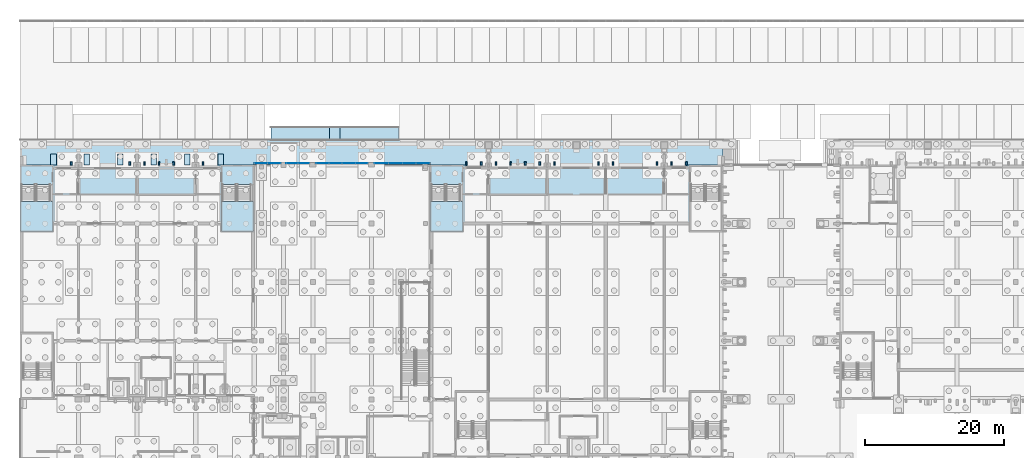
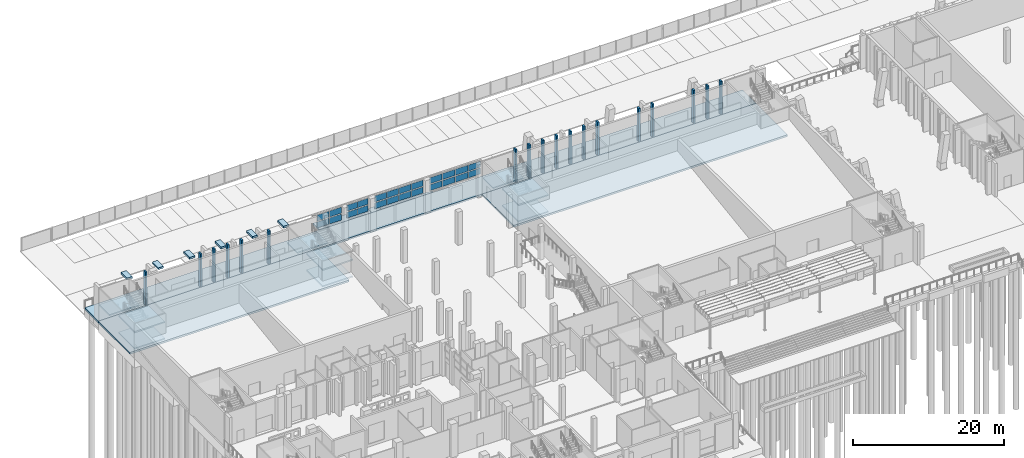
# One storey, part 38 of 129: 42 plates, 21 slabs, 7 elements without a shape of their own.
"""IFC4 building model written with IfcOpenShell, lengths in metres."""

from ifc_helpers import new_model, si_unit, direction, frame, origin, origin_2d, place, context, subcontext, project, spatial, polyline, rectangle, outline, extrude, material, layer, layer_set, type_object, element, aggregate, save


model = new_model("IFC4")

# Units and contexts
model_context = context("Model", 3, precision=1e-05, world=origin(), true_north=direction((0.0, 1.0)))
body_context = subcontext(model_context, "Body", "Model", "MODEL_VIEW")
ifc_project = project(units=[si_unit("LENGTHUNIT", "METRE"), si_unit("AREAUNIT", "SQUARE_METRE"), si_unit("VOLUMEUNIT", "CUBIC_METRE"), si_unit("PLANEANGLEUNIT", "RADIAN"), si_unit("MASSUNIT", "GRAM", prefix="KILO")], contexts=[model_context])

# Site, building, storey
site_placement = place(None, origin())
site = spatial("IfcSite", under=ifc_project, at=site_placement, CompositionType="ELEMENT")
building_placement = place(site_placement, origin())
building = spatial("IfcBuilding", under=site, at=building_placement, Name="Kiln Court Media Centre", CompositionType="ELEMENT")
storey_placement = place(building_placement, origin())
storey = spatial("IfcBuildingStorey", under=building, at=storey_placement, Name="L00", CompositionType="ELEMENT", Elevation=0.0)

# Slabs
ifc_material_1 = material(Name="Concrete C30/37", Category="concrete")
ifc_layer_1 = layer(ifc_material_1, 0.300048828125)
ifc_layer_set_1 = layer_set([ifc_layer_1], Name="Concrete C30/37 plinth slab 300")
slab_type_1 = type_object("IfcSlabType", Name="Concrete C30/37 plinth slab 300", PredefinedType="BASESLAB", material=ifc_layer_set_1)
slab_1_placement = place(storey_placement, frame((0.0, 0.0, -0.300048828125)))
element("IfcSlab", 1, at=slab_1_placement, inside=storey, type_object=slab_type_1, Name="L00-SL-1003", PredefinedType="BASESLAB", context=body_context, shape_type="SweptSolid", body=[
    extrude(outline(polyline([(0.0, 58.800048828125), (0.0, 67.199951171875), (33.60009765625, 67.199951171875), (33.60009765625, 58.800048828125), (0.0, 58.800048828125)])), origin(), (0.0, 0.0, 1.0), 0.300048828125),
])
slab_2_placement = place(storey_placement, frame((0.0, 0.0, -0.300048828125)))
element("IfcSlab", 2, at=slab_2_placement, inside=storey, type_object=slab_type_1, Name="L00-SL-1006", PredefinedType="BASESLAB", context=body_context, shape_type="SweptSolid", body=[
    extrude(outline(polyline([(58.800048828125, 58.800048828125), (58.800048828125, 67.199951171875), (100.800048828125, 67.199951171875), (100.800048828125, 58.800048828125), (58.800048828125, 58.800048828125)])), origin(), (0.0, 0.0, 1.0), 0.300048828125),
])
slab_3_placement = place(storey_placement, frame((0.0, 0.0, -0.300048828125)))
element("IfcSlab", 3, at=slab_3_placement, inside=storey, type_object=slab_type_1, Name="L00-SL-1014", PredefinedType="BASESLAB", context=body_context, shape_type="SweptSolid", body=[
    extrude(outline(polyline([(0.0, 67.199951171875), (0.0, 70.800048828125), (100.800048828125, 70.800048828125), (100.800048828125, 67.199951171875), (0.0, 67.199951171875)])), origin(), (0.0, 0.0, 1.0), 0.300048828125),
])
ifc_material_2 = material(Name="Concrete C30/37", Category="concrete")
ifc_layer_2 = layer(ifc_material_2, 0.199951171875)
ifc_layer_set_2 = layer_set([ifc_layer_2], Name="Concrete C30/37 ramp landing 1:14 200")
slab_type_2 = type_object("IfcSlabType", Name="Concrete C30/37 ramp landing 1:14 200", PredefinedType="LANDING", material=ifc_layer_set_2)
slab_4_placement = place(storey_placement, frame((0.0, 0.0, -0.800048828125)))
element("IfcSlab", 4, at=slab_4_placement, inside=storey, type_object=slab_type_2, Name="RREAR-LANDING landing", PredefinedType="LANDING", context=body_context, shape_type="SweptSolid", body=[
    extrude(outline(polyline([(44.39990234375, 70.800048828125), (45.89990234375, 70.800048828125), (45.89990234375, 72.60009765625), (44.39990234375, 72.60009765625), (44.39990234375, 70.800048828125)])), origin(), (0.0, 0.0, 1.0), 0.199951171875),
])
ifc_material_3 = material(Name="Concrete C30/37", Category="concrete")
ifc_layer_3 = layer(ifc_material_3, 0.199951171875)
ifc_layer_set_3 = layer_set([ifc_layer_3], Name="Concrete C30/37 ramp slab 1:14 200")
slab_type_3 = type_object("IfcSlabType", Name="Concrete C30/37 ramp slab 1:14 200", PredefinedType="BASESLAB", material=ifc_layer_set_3)
slab_5_placement = place(storey_placement, frame((36.0, 70.800048828125, 0.0), z_axis=(0.071259411546, 0.0, 0.997457816785), x_axis=(0.997457816785, 0.0, -0.071259411546)))
element("IfcSlab", 5, at=slab_5_placement, inside=storey, type_object=slab_type_3, Name="RREAR-1 ramp run", PredefinedType="BASESLAB", context=body_context, shape_type="SweptSolid", body=[
    extrude(outline(polyline([(0.0, 0.0), (8.421310858861196, 0.0), (8.421310858861196, 1.800048828125), (0.0, 1.800048828125), (0.0, 0.0)])), origin(), (0.0, 0.0, -1.0), 0.199951171875),
])
slab_6_placement = place(storey_placement, frame((45.89990234375, 70.800048828125, -0.60009765625), z_axis=(0.071228508128, 0.0, 0.997460024076), x_axis=(0.997460024076, 0.0, -0.071228508128)))
element("IfcSlab", 6, at=slab_6_placement, inside=storey, type_object=slab_type_3, Name="RREAR-2 ramp run", PredefinedType="BASESLAB", context=body_context, shape_type="SweptSolid", body=[
    extrude(outline(polyline([(0.0, 0.0), (8.421536985560614, 0.0), (8.421536985560614, 1.800048828125), (0.0, 1.800048828125), (0.0, 0.0)])), origin(), (0.0, 0.0, -1.0), 0.199951171875),
])
ifc_material_4 = material(Name="Concrete C30/37", Category="concrete")
ifc_layer_4 = layer(ifc_material_4, 0.300048828125)
ifc_layer_set_4 = layer_set([ifc_layer_4], Name="Concrete C30/37 rib seat slab 300")
slab_type_4 = type_object("IfcSlabType", Name="Concrete C30/37 rib seat slab 300", PredefinedType="FLOOR", material=ifc_layer_set_4)
slab_7_placement = place(storey_placement, frame((0.0, 0.0, 5.10009765625)))
element("IfcSlab", 7, at=slab_7_placement, inside=storey, type_object=slab_type_4, Name="V4 N rib seat slab 1", PredefinedType="FLOOR", context=body_context, shape_type="SweptSolid", body=[
    extrude(outline(polyline([(4.39990234375, 67.199951171875), (5.199951171875, 67.199951171875), (5.199951171875, 68.800048828125), (4.39990234375, 68.800048828125), (4.39990234375, 67.199951171875)])), origin(), (0.0, 0.0, 1.0), 0.2998046875),
])
slab_8_placement = place(storey_placement, frame((0.0, 0.0, 5.10009765625)))
element("IfcSlab", 8, at=slab_8_placement, inside=storey, type_object=slab_type_4, Name="V4 N rib seat slab 2", PredefinedType="FLOOR", context=body_context, shape_type="SweptSolid", body=[
    extrude(outline(polyline([(9.199951171875, 67.199951171875), (10.0, 67.199951171875), (10.0, 68.800048828125), (9.199951171875, 68.800048828125), (9.199951171875, 67.199951171875)])), origin(), (0.0, 0.0, 1.0), 0.2998046875),
])
slab_9_placement = place(storey_placement, frame((0.0, 0.0, 5.10009765625)))
element("IfcSlab", 9, at=slab_9_placement, inside=storey, type_object=slab_type_4, Name="V4 N rib seat slab 3", PredefinedType="FLOOR", context=body_context, shape_type="SweptSolid", body=[
    extrude(outline(polyline([(14.0, 67.199951171875), (14.800048828125, 67.199951171875), (14.800048828125, 68.800048828125), (14.0, 68.800048828125), (14.0, 67.199951171875)])), origin(), (0.0, 0.0, 1.0), 0.2998046875),
])
slab_10_placement = place(storey_placement, frame((0.0, 0.0, 5.10009765625)))
element("IfcSlab", 10, at=slab_10_placement, inside=storey, type_object=slab_type_4, Name="V4 N rib seat slab 4", PredefinedType="FLOOR", context=body_context, shape_type="SweptSolid", body=[
    extrude(outline(polyline([(18.800048828125, 67.199951171875), (19.60009765625, 67.199951171875), (19.60009765625, 68.800048828125), (18.800048828125, 68.800048828125), (18.800048828125, 67.199951171875)])), origin(), (0.0, 0.0, 1.0), 0.2998046875),
])
slab_11_placement = place(storey_placement, frame((0.0, 0.0, 5.10009765625)))
element("IfcSlab", 11, at=slab_11_placement, inside=storey, type_object=slab_type_4, Name="V4 N rib seat slab 5", PredefinedType="FLOOR", context=body_context, shape_type="SweptSolid", body=[
    extrude(outline(polyline([(23.60009765625, 67.199951171875), (24.39990234375, 67.199951171875), (24.39990234375, 68.800048828125), (23.60009765625, 68.800048828125), (23.60009765625, 67.199951171875)])), origin(), (0.0, 0.0, 1.0), 0.2998046875),
])
slab_12_placement = place(storey_placement, frame((0.0, 0.0, 5.10009765625)))
element("IfcSlab", 12, at=slab_12_placement, inside=storey, type_object=slab_type_4, Name="V4 N rib seat slab 6", PredefinedType="FLOOR", context=body_context, shape_type="SweptSolid", body=[
    extrude(outline(polyline([(28.39990234375, 67.199951171875), (29.199951171875, 67.199951171875), (29.199951171875, 68.800048828125), (28.39990234375, 68.800048828125), (28.39990234375, 67.199951171875)])), origin(), (0.0, 0.0, 1.0), 0.2998046875),
])

# Plates
ifc_material_5 = material(Name="Concrete C40/50", Category="concrete")
ifc_layer_5 = layer(ifc_material_5, 0.25)
ifc_layer_set_5 = layer_set([ifc_layer_5], Name="Concrete C40/50 shading fin 250")
plate_type_1 = type_object("IfcPlateType", Name="Concrete C40/50 shading fin 250", PredefinedType="SHEET", material=ifc_layer_set_5)
for number, where, z_axis, x_axis, name in (
    (13, (64.050048828125, 67.449951171875, -0.2998046875), (0.0, 0.0, 1.0), (1.0, 0.0, 0.0), "V1 N fin L00"),
    (14, (66.14990234375, 67.449951171875, -0.2998046875), (0.0, 0.0, 1.0), (1.0, 0.0, 0.0), "V1 N fin L00"),
    (15, (68.25, 67.449951171875, -0.2998046875), (0.0, 0.0, 1.0), (1.0, 0.0, 0.0), "V1 N fin L00"),
    (16, (70.35009765625, 67.449951171875, -0.2998046875), (0.0, 0.0, 1.0), (1.0, 0.0, 0.0), "V1 N fin L00"),
    (17, (72.449951171875, 67.449951171875, -0.2998046875), (0.0, 0.0, 1.0), (1.0, 0.0, 0.0), "V1 N fin L00"),
    (18, (74.550048828125, 67.449951171875, -0.2998046875), (0.0, 0.0, 1.0), (1.0, 0.0, 0.0), "V1 N fin L00"),
    (19, (76.64990234375, 67.449951171875, -0.2998046875), (0.0, 0.0, 1.0), (1.0, 0.0, 0.0), "V1 N fin L00"),
    (20, (82.949951171875, 67.449951171875, -0.2998046875), (0.0, 0.0, 1.0), (1.0, 0.0, 0.0), "V1 N fin L00"),
    (21, (85.050048828125, 67.449951171875, -0.2998046875), (0.0, 0.0, 1.0), (1.0, 0.0, 0.0), "V1 N fin L00"),
    (22, (91.35009765625, 67.449951171875, -0.2998046875), (0.0, 0.0, 1.0), (1.0, 0.0, 0.0), "V1 N fin L00"),
    (23, (93.449951171875, 67.449951171875, -0.2998046875), (0.0, 0.0, 1.0), (1.0, 0.0, 0.0), "V1 N fin L00"),
    (24, (95.550048828125, 67.449951171875, -0.2998046875), (0.0, 0.0, 1.0), (1.0, 0.0, 0.0), "V1 N fin L00"),
    (25, (7.35009765625, 67.449951171875, -0.2998046875), (0.0, 0.0, 1.0), (1.0, 0.0, 0.0), "V4 N fin L00"),
    (26, (15.75, 67.449951171875, -0.2998046875), (0.0, 0.0, 1.0), (1.0, 0.0, 0.0), "V4 N fin L00"),
    (27, (17.85009765625, 67.449951171875, -0.2998046875), (0.0, 0.0, 1.0), (1.0, 0.0, 0.0), "V4 N fin L00"),
    (28, (19.949951171875, 67.449951171875, -0.2998046875), (0.0, 0.0, 1.0), (1.0, 0.0, 0.0), "V4 N fin L00"),
    (29, (22.050048828125, 67.449951171875, -0.2998046875), (0.0, 0.0, 1.0), (1.0, 0.0, 0.0), "V4 N fin L00"),
    (30, (26.25, 67.449951171875, -0.2998046875), (0.0, 0.0, 1.0), (1.0, 0.0, 0.0), "V4 N fin L00"),
):
    element("IfcPlate", number, at=place(storey_placement, frame(where, z_axis=z_axis, x_axis=x_axis)), inside=storey, type_object=plate_type_1, Name=name, PredefinedType="SHEET", context=body_context, shape_type="SweptSolid", body=[
        extrude(rectangle(XDim=0.25, YDim=0.5, at=origin_2d()), origin(), (0.0, 0.0, 1.0), 5.699951171875),
    ])

# Stair, slabs
ifc_material_6 = material(Name="Concrete C40/50", Category="concrete")
stair_type = type_object("IfcStairType", Name="Concrete C40/50 dog-leg stair 2000 wide, 150 riser", PredefinedType="HALF_TURN_STAIR", material=ifc_material_6)
stair_1_placement = place(storey_placement, origin())
stair_1 = element("IfcStair", 31, at=stair_1_placement, inside=storey, type_object=stair_type, Name="ST-07 L00", PredefinedType="HALF_TURN_STAIR")
ifc_material_7 = material(Name="Concrete C40/50", Category="concrete")
ifc_layer_6 = layer(ifc_material_7, 0.199951171875)
ifc_layer_set_6 = layer_set([ifc_layer_6], Name="Concrete C40/50 stair landing 200")
slab_type_5 = type_object("IfcSlabType", Name="Concrete C40/50 stair landing 200", PredefinedType="LANDING", material=ifc_layer_set_6)
slab_13_placement = place(storey_placement, frame((0.0, 0.0, 1.14990234375)))
slab_13 = element("IfcSlab", 32, at=slab_13_placement, type_object=slab_type_5, Name="L00-ST-5006 landing 5018", PredefinedType="LANDING", context=body_context, shape_type="SweptSolid", body=[
    extrude(outline(polyline([(0.080078125, 62.0), (0.080078125, 57.679931640625), (4.719970703125, 57.679931640625), (4.719970703125, 62.0), (0.080078125, 62.0)])), origin(), (0.0, 0.0, 1.0), 0.2001953125),
])
slab_14_placement = place(storey_placement, frame((0.0, 0.0, 2.5)))
slab_14 = element("IfcSlab", 33, at=slab_14_placement, type_object=slab_type_5, Name="L00-ST-5006 landing 5019", PredefinedType="LANDING", context=body_context, shape_type="SweptSolid", body=[
    extrude(outline(polyline([(0.080078125, 67.1201171875), (0.080078125, 64.39990234375), (4.719970703125, 64.39990234375), (4.719970703125, 67.1201171875), (0.080078125, 67.1201171875)])), origin(), (0.0, 0.0, 1.0), 0.199951171875),
])
slab_15_placement = place(storey_placement, frame((0.0, 0.0, 3.85009765625)))
slab_15 = element("IfcSlab", 34, at=slab_15_placement, type_object=slab_type_5, Name="L00-ST-5006 landing 5020", PredefinedType="LANDING", context=body_context, shape_type="SweptSolid", body=[
    extrude(outline(polyline([(0.080078125, 62.0), (0.080078125, 57.679931640625), (4.719970703125, 57.679931640625), (4.719970703125, 62.0), (0.080078125, 62.0)])), origin(), (0.0, 0.0, 1.0), 0.199951171875),
])
aggregate(stair_1, [slab_13, slab_14, slab_15])

stair_2_placement = place(storey_placement, origin())
stair_2 = element("IfcStair", 35, at=stair_2_placement, inside=storey, type_object=stair_type, Name="ST-08 L00", PredefinedType="HALF_TURN_STAIR")
slab_16_placement = place(storey_placement, frame((0.0, 0.0, 1.14990234375)))
slab_16 = element("IfcSlab", 36, at=slab_16_placement, type_object=slab_type_5, Name="L00-ST-5007 landing 5021", PredefinedType="LANDING", context=body_context, shape_type="SweptSolid", body=[
    extrude(outline(polyline([(28.8798828125, 62.0), (28.8798828125, 57.679931640625), (33.52001953125, 57.679931640625), (33.52001953125, 62.0), (28.8798828125, 62.0)])), origin(), (0.0, 0.0, 1.0), 0.2001953125),
])
slab_17_placement = place(storey_placement, frame((0.0, 0.0, 2.5)))
slab_17 = element("IfcSlab", 37, at=slab_17_placement, type_object=slab_type_5, Name="L00-ST-5007 landing 5022", PredefinedType="LANDING", context=body_context, shape_type="SweptSolid", body=[
    extrude(outline(polyline([(28.8798828125, 67.1201171875), (28.8798828125, 64.39990234375), (33.52001953125, 64.39990234375), (33.52001953125, 67.1201171875), (28.8798828125, 67.1201171875)])), origin(), (0.0, 0.0, 1.0), 0.199951171875),
])
slab_18_placement = place(storey_placement, frame((0.0, 0.0, 3.85009765625)))
slab_18 = element("IfcSlab", 38, at=slab_18_placement, type_object=slab_type_5, Name="L00-ST-5007 landing 5023", PredefinedType="LANDING", context=body_context, shape_type="SweptSolid", body=[
    extrude(outline(polyline([(28.8798828125, 62.0), (28.8798828125, 57.679931640625), (33.52001953125, 57.679931640625), (33.52001953125, 62.0), (28.8798828125, 62.0)])), origin(), (0.0, 0.0, 1.0), 0.199951171875),
])
aggregate(stair_2, [slab_16, slab_17, slab_18])

stair_3_placement = place(storey_placement, origin())
stair_3 = element("IfcStair", 39, at=stair_3_placement, inside=storey, type_object=stair_type, Name="ST-11 L00", PredefinedType="HALF_TURN_STAIR")
slab_19_placement = place(storey_placement, frame((0.0, 0.0, 1.14990234375)))
slab_19 = element("IfcSlab", 40, at=slab_19_placement, type_object=slab_type_5, Name="L00-ST-5010 landing 5030", PredefinedType="LANDING", context=body_context, shape_type="SweptSolid", body=[
    extrude(outline(polyline([(58.8798828125, 62.0), (58.8798828125, 57.679931640625), (63.52001953125, 57.679931640625), (63.52001953125, 62.0), (58.8798828125, 62.0)])), origin(), (0.0, 0.0, 1.0), 0.2001953125),
])
slab_20_placement = place(storey_placement, frame((0.0, 0.0, 2.5)))
slab_20 = element("IfcSlab", 41, at=slab_20_placement, type_object=slab_type_5, Name="L00-ST-5010 landing 5031", PredefinedType="LANDING", context=body_context, shape_type="SweptSolid", body=[
    extrude(outline(polyline([(58.8798828125, 67.1201171875), (58.8798828125, 64.39990234375), (63.52001953125, 64.39990234375), (63.52001953125, 67.1201171875), (58.8798828125, 67.1201171875)])), origin(), (0.0, 0.0, 1.0), 0.199951171875),
])
slab_21_placement = place(storey_placement, frame((0.0, 0.0, 3.85009765625)))
slab_21 = element("IfcSlab", 42, at=slab_21_placement, type_object=slab_type_5, Name="L00-ST-5010 landing 5032", PredefinedType="LANDING", context=body_context, shape_type="SweptSolid", body=[
    extrude(outline(polyline([(58.8798828125, 62.0), (58.8798828125, 57.679931640625), (63.52001953125, 57.679931640625), (63.52001953125, 62.0), (58.8798828125, 62.0)])), origin(), (0.0, 0.0, 1.0), 0.199951171875),
])
aggregate(stair_3, [slab_19, slab_20, slab_21])

# Curtain wall, plates
ifc_material_8 = material(Name="Aluminium 6063-T6", Category="aluminium")
ifc_layer_7 = layer(ifc_material_8, 0.1201171875)
ifc_layer_set_7 = layer_set([ifc_layer_7], Name="Aluminium stick curtain wall, foyer")
curtain_wall_type = type_object("IfcCurtainWallType", Name="Aluminium stick curtain wall, foyer", PredefinedType="USERDEFINED", material=ifc_layer_set_7)
curtain_wall_1_placement = place(storey_placement, origin())
curtain_wall_1 = element("IfcCurtainWall", 43, at=curtain_wall_1_placement, inside=storey, type_object=curtain_wall_type, Name="Foyer north glazing L00", ObjectType="STICK CURTAIN WALL", PredefinedType="USERDEFINED")
ifc_material_9 = material(Name="Laminated low-E glazing", Category="glass")
ifc_layer_8 = layer(ifc_material_9, 0.035888671875)
ifc_layer_set_8 = layer_set([ifc_layer_8], Name="Laminated low-E glazed panel 36")
plate_type_2 = type_object("IfcPlateType", Name="Laminated low-E glazed panel 36", PredefinedType="CURTAIN_PANEL", material=ifc_layer_set_8)
plate_1_placement = place(storey_placement, frame((34.577392578125, 67.444580078125, 3.14990234375), z_axis=(0.0, 0.0, 1.0), x_axis=(1.0, 0.0, 0.0)))
plate_1 = element("IfcPlate", 44, at=plate_1_placement, type_object=plate_type_2, Name="CW0-60 panel 1.1", PredefinedType="CURTAIN_PANEL", context=body_context, shape_type="SweptSolid", body=[
    extrude(rectangle(XDim=1.8349609375, YDim=0.035888671875, at=origin_2d()), origin(), (0.0, 0.0, 1.0), 0.97509765625),
])
plate_2_placement = place(storey_placement, frame((34.577392578125, 67.444580078125, 4.27490234375), z_axis=(0.0, 0.0, 1.0), x_axis=(1.0, 0.0, 0.0)))
plate_2 = element("IfcPlate", 45, at=plate_2_placement, type_object=plate_type_2, Name="CW0-60 panel 1.2", PredefinedType="CURTAIN_PANEL", context=body_context, shape_type="SweptSolid", body=[
    extrude(rectangle(XDim=1.8349609375, YDim=0.035888671875, at=origin_2d()), origin(), (0.0, 0.0, 1.0), 0.97509765625),
])
plate_3_placement = place(storey_placement, frame((36.472412109375, 67.444580078125, 3.14990234375), z_axis=(0.0, 0.0, 1.0), x_axis=(1.0, 0.0, 0.0)))
plate_3 = element("IfcPlate", 46, at=plate_3_placement, type_object=plate_type_2, Name="CW0-60 panel 2.1", PredefinedType="CURTAIN_PANEL", context=body_context, shape_type="SweptSolid", body=[
    extrude(rectangle(XDim=1.8349609375, YDim=0.035888671875, at=origin_2d()), origin(), (0.0, 0.0, 1.0), 0.97509765625),
])
plate_4_placement = place(storey_placement, frame((36.472412109375, 67.444580078125, 4.27490234375), z_axis=(0.0, 0.0, 1.0), x_axis=(1.0, 0.0, 0.0)))
plate_4 = element("IfcPlate", 47, at=plate_4_placement, type_object=plate_type_2, Name="CW0-60 panel 2.2", PredefinedType="CURTAIN_PANEL", context=body_context, shape_type="SweptSolid", body=[
    extrude(rectangle(XDim=1.8349609375, YDim=0.035888671875, at=origin_2d()), origin(), (0.0, 0.0, 1.0), 0.97509765625),
])
aggregate(curtain_wall_1, [plate_1, plate_2, plate_3, plate_4])

curtain_wall_2_placement = place(storey_placement, origin())
curtain_wall_2 = element("IfcCurtainWall", 48, at=curtain_wall_2_placement, inside=storey, type_object=curtain_wall_type, Name="Foyer north glazing L00", ObjectType="STICK CURTAIN WALL", PredefinedType="USERDEFINED")
plate_5_placement = place(storey_placement, frame((39.014892578125, 67.444580078125, 3.14990234375), z_axis=(0.0, 0.0, 1.0), x_axis=(1.0, 0.0, 0.0)))
plate_5 = element("IfcPlate", 49, at=plate_5_placement, type_object=plate_type_2, Name="CW0-61 panel 1.1", PredefinedType="CURTAIN_PANEL", context=body_context, shape_type="SweptSolid", body=[
    extrude(rectangle(XDim=1.610107421875, YDim=0.035888671875, at=origin_2d()), origin(), (0.0, 0.0, 1.0), 0.97509765625),
])
plate_6_placement = place(storey_placement, frame((39.014892578125, 67.444580078125, 4.27490234375), z_axis=(0.0, 0.0, 1.0), x_axis=(1.0, 0.0, 0.0)))
plate_6 = element("IfcPlate", 50, at=plate_6_placement, type_object=plate_type_2, Name="CW0-61 panel 1.2", PredefinedType="CURTAIN_PANEL", context=body_context, shape_type="SweptSolid", body=[
    extrude(rectangle(XDim=1.610107421875, YDim=0.035888671875, at=origin_2d()), origin(), (0.0, 0.0, 1.0), 0.97509765625),
])
plate_7_placement = place(storey_placement, frame((40.68505859375, 67.444580078125, 3.14990234375), z_axis=(0.0, 0.0, 1.0), x_axis=(1.0, 0.0, 0.0)))
plate_7 = element("IfcPlate", 51, at=plate_7_placement, type_object=plate_type_2, Name="CW0-61 panel 2.1", PredefinedType="CURTAIN_PANEL", context=body_context, shape_type="SweptSolid", body=[
    extrude(rectangle(XDim=1.610107421875, YDim=0.035888671875, at=origin_2d()), origin(), (0.0, 0.0, 1.0), 0.97509765625),
])
plate_8_placement = place(storey_placement, frame((40.68505859375, 67.444580078125, 4.27490234375), z_axis=(0.0, 0.0, 1.0), x_axis=(1.0, 0.0, 0.0)))
plate_8 = element("IfcPlate", 52, at=plate_8_placement, type_object=plate_type_2, Name="CW0-61 panel 2.2", PredefinedType="CURTAIN_PANEL", context=body_context, shape_type="SweptSolid", body=[
    extrude(rectangle(XDim=1.610107421875, YDim=0.035888671875, at=origin_2d()), origin(), (0.0, 0.0, 1.0), 0.97509765625),
])
aggregate(curtain_wall_2, [plate_5, plate_6, plate_7, plate_8])

curtain_wall_3_placement = place(storey_placement, origin())
curtain_wall_3 = element("IfcCurtainWall", 53, at=curtain_wall_3_placement, inside=storey, type_object=curtain_wall_type, Name="Foyer north glazing L00", ObjectType="STICK CURTAIN WALL", PredefinedType="USERDEFINED")
plate_9_placement = place(storey_placement, frame((43.402587890625, 67.444580078125, 3.14990234375), z_axis=(0.0, 0.0, 1.0), x_axis=(1.0, 0.0, 0.0)))
plate_9 = element("IfcPlate", 54, at=plate_9_placement, type_object=plate_type_2, Name="CW0-62 panel 1.1", PredefinedType="CURTAIN_PANEL", context=body_context, shape_type="SweptSolid", body=[
    extrude(rectangle(XDim=1.784912109375, YDim=0.035888671875, at=origin_2d()), origin(), (0.0, 0.0, 1.0), 0.97509765625),
])
plate_10_placement = place(storey_placement, frame((43.402587890625, 67.444580078125, 4.27490234375), z_axis=(0.0, 0.0, 1.0), x_axis=(1.0, 0.0, 0.0)))
plate_10 = element("IfcPlate", 55, at=plate_10_placement, type_object=plate_type_2, Name="CW0-62 panel 1.2", PredefinedType="CURTAIN_PANEL", context=body_context, shape_type="SweptSolid", body=[
    extrude(rectangle(XDim=1.784912109375, YDim=0.035888671875, at=origin_2d()), origin(), (0.0, 0.0, 1.0), 0.97509765625),
])
plate_11_placement = place(storey_placement, frame((45.262451171875, 67.444580078125, 3.14990234375), z_axis=(0.0, 0.0, 1.0), x_axis=(1.0, 0.0, 0.0)))
plate_11 = element("IfcPlate", 56, at=plate_11_placement, type_object=plate_type_2, Name="CW0-62 panel 2.1", PredefinedType="CURTAIN_PANEL", context=body_context, shape_type="SweptSolid", body=[
    extrude(rectangle(XDim=1.81494140625, YDim=0.035888671875, at=origin_2d()), origin(), (0.0, 0.0, 1.0), 0.97509765625),
])
plate_12_placement = place(storey_placement, frame((45.262451171875, 67.444580078125, 4.27490234375), z_axis=(0.0, 0.0, 1.0), x_axis=(1.0, 0.0, 0.0)))
plate_12 = element("IfcPlate", 57, at=plate_12_placement, type_object=plate_type_2, Name="CW0-62 panel 2.2", PredefinedType="CURTAIN_PANEL", context=body_context, shape_type="SweptSolid", body=[
    extrude(rectangle(XDim=1.81494140625, YDim=0.035888671875, at=origin_2d()), origin(), (0.0, 0.0, 1.0), 0.97509765625),
])
plate_13_placement = place(storey_placement, frame((47.137451171875, 67.444580078125, 3.14990234375), z_axis=(0.0, 0.0, 1.0), x_axis=(1.0, 0.0, 0.0)))
plate_13 = element("IfcPlate", 58, at=plate_13_placement, type_object=plate_type_2, Name="CW0-62 panel 3.1", PredefinedType="CURTAIN_PANEL", context=body_context, shape_type="SweptSolid", body=[
    extrude(rectangle(XDim=1.81494140625, YDim=0.035888671875, at=origin_2d()), origin(), (0.0, 0.0, 1.0), 0.97509765625),
])
plate_14_placement = place(storey_placement, frame((47.137451171875, 67.444580078125, 4.27490234375), z_axis=(0.0, 0.0, 1.0), x_axis=(1.0, 0.0, 0.0)))
plate_14 = element("IfcPlate", 59, at=plate_14_placement, type_object=plate_type_2, Name="CW0-62 panel 3.2", PredefinedType="CURTAIN_PANEL", context=body_context, shape_type="SweptSolid", body=[
    extrude(rectangle(XDim=1.81494140625, YDim=0.035888671875, at=origin_2d()), origin(), (0.0, 0.0, 1.0), 0.97509765625),
])
plate_15_placement = place(storey_placement, frame((48.99755859375, 67.444580078125, 3.14990234375), z_axis=(0.0, 0.0, 1.0), x_axis=(1.0, 0.0, 0.0)))
plate_15 = element("IfcPlate", 60, at=plate_15_placement, type_object=plate_type_2, Name="CW0-62 panel 4.1", PredefinedType="CURTAIN_PANEL", context=body_context, shape_type="SweptSolid", body=[
    extrude(rectangle(XDim=1.784912109375, YDim=0.035888671875, at=origin_2d()), origin(), (0.0, 0.0, 1.0), 0.97509765625),
])
plate_16_placement = place(storey_placement, frame((48.99755859375, 67.444580078125, 4.27490234375), z_axis=(0.0, 0.0, 1.0), x_axis=(1.0, 0.0, 0.0)))
plate_16 = element("IfcPlate", 61, at=plate_16_placement, type_object=plate_type_2, Name="CW0-62 panel 4.2", PredefinedType="CURTAIN_PANEL", context=body_context, shape_type="SweptSolid", body=[
    extrude(rectangle(XDim=1.784912109375, YDim=0.035888671875, at=origin_2d()), origin(), (0.0, 0.0, 1.0), 0.97509765625),
])
aggregate(curtain_wall_3, [plate_9, plate_10, plate_11, plate_12, plate_13, plate_14, plate_15, plate_16])

curtain_wall_4_placement = place(storey_placement, origin())
curtain_wall_4 = element("IfcCurtainWall", 62, at=curtain_wall_4_placement, inside=storey, type_object=curtain_wall_type, Name="Foyer north glazing L00", ObjectType="STICK CURTAIN WALL", PredefinedType="USERDEFINED")
plate_17_placement = place(storey_placement, frame((51.858642578125, 67.444580078125, 3.14990234375), z_axis=(0.0, 0.0, 1.0), x_axis=(1.0, 0.0, 0.0)))
plate_17 = element("IfcPlate", 63, at=plate_17_placement, type_object=plate_type_2, Name="CW0-63 panel 1.1", PredefinedType="CURTAIN_PANEL", context=body_context, shape_type="SweptSolid", body=[
    extrude(rectangle(XDim=1.8974609375, YDim=0.035888671875, at=origin_2d()), origin(), (0.0, 0.0, 1.0), 0.97509765625),
])
plate_18_placement = place(storey_placement, frame((51.858642578125, 67.444580078125, 4.27490234375), z_axis=(0.0, 0.0, 1.0), x_axis=(1.0, 0.0, 0.0)))
plate_18 = element("IfcPlate", 64, at=plate_18_placement, type_object=plate_type_2, Name="CW0-63 panel 1.2", PredefinedType="CURTAIN_PANEL", context=body_context, shape_type="SweptSolid", body=[
    extrude(rectangle(XDim=1.8974609375, YDim=0.035888671875, at=origin_2d()), origin(), (0.0, 0.0, 1.0), 0.97509765625),
])
plate_19_placement = place(storey_placement, frame((53.831298828125, 67.444580078125, 3.14990234375), z_axis=(0.0, 0.0, 1.0), x_axis=(1.0, 0.0, 0.0)))
plate_19 = element("IfcPlate", 65, at=plate_19_placement, type_object=plate_type_2, Name="CW0-63 panel 2.1", PredefinedType="CURTAIN_PANEL", context=body_context, shape_type="SweptSolid", body=[
    extrude(rectangle(XDim=1.927490234375, YDim=0.035888671875, at=origin_2d()), origin(), (0.0, 0.0, 1.0), 0.97509765625),
])
plate_20_placement = place(storey_placement, frame((53.831298828125, 67.444580078125, 4.27490234375), z_axis=(0.0, 0.0, 1.0), x_axis=(1.0, 0.0, 0.0)))
plate_20 = element("IfcPlate", 66, at=plate_20_placement, type_object=plate_type_2, Name="CW0-63 panel 2.2", PredefinedType="CURTAIN_PANEL", context=body_context, shape_type="SweptSolid", body=[
    extrude(rectangle(XDim=1.927490234375, YDim=0.035888671875, at=origin_2d()), origin(), (0.0, 0.0, 1.0), 0.97509765625),
])
plate_21_placement = place(storey_placement, frame((55.81884765625, 67.444580078125, 3.14990234375), z_axis=(0.0, 0.0, 1.0), x_axis=(1.0, 0.0, 0.0)))
plate_21 = element("IfcPlate", 67, at=plate_21_placement, type_object=plate_type_2, Name="CW0-63 panel 3.1", PredefinedType="CURTAIN_PANEL", context=body_context, shape_type="SweptSolid", body=[
    extrude(rectangle(XDim=1.927490234375, YDim=0.035888671875, at=origin_2d()), origin(), (0.0, 0.0, 1.0), 0.97509765625),
])
plate_22_placement = place(storey_placement, frame((55.81884765625, 67.444580078125, 4.27490234375), z_axis=(0.0, 0.0, 1.0), x_axis=(1.0, 0.0, 0.0)))
plate_22 = element("IfcPlate", 68, at=plate_22_placement, type_object=plate_type_2, Name="CW0-63 panel 3.2", PredefinedType="CURTAIN_PANEL", context=body_context, shape_type="SweptSolid", body=[
    extrude(rectangle(XDim=1.927490234375, YDim=0.035888671875, at=origin_2d()), origin(), (0.0, 0.0, 1.0), 0.97509765625),
])
plate_23_placement = place(storey_placement, frame((57.791259765625, 67.444580078125, 3.14990234375), z_axis=(0.0, 0.0, 1.0), x_axis=(1.0, 0.0, 0.0)))
plate_23 = element("IfcPlate", 69, at=plate_23_placement, type_object=plate_type_2, Name="CW0-63 panel 4.1", PredefinedType="CURTAIN_PANEL", context=body_context, shape_type="SweptSolid", body=[
    extrude(rectangle(XDim=1.8974609375, YDim=0.035888671875, at=origin_2d()), origin(), (0.0, 0.0, 1.0), 0.97509765625),
])
plate_24_placement = place(storey_placement, frame((57.791259765625, 67.444580078125, 4.27490234375), z_axis=(0.0, 0.0, 1.0), x_axis=(1.0, 0.0, 0.0)))
plate_24 = element("IfcPlate", 70, at=plate_24_placement, type_object=plate_type_2, Name="CW0-63 panel 4.2", PredefinedType="CURTAIN_PANEL", context=body_context, shape_type="SweptSolid", body=[
    extrude(rectangle(XDim=1.8974609375, YDim=0.035888671875, at=origin_2d()), origin(), (0.0, 0.0, 1.0), 0.97509765625),
])
aggregate(curtain_wall_4, [plate_17, plate_18, plate_19, plate_20, plate_21, plate_22, plate_23, plate_24])

save(model, "model.ifc")
